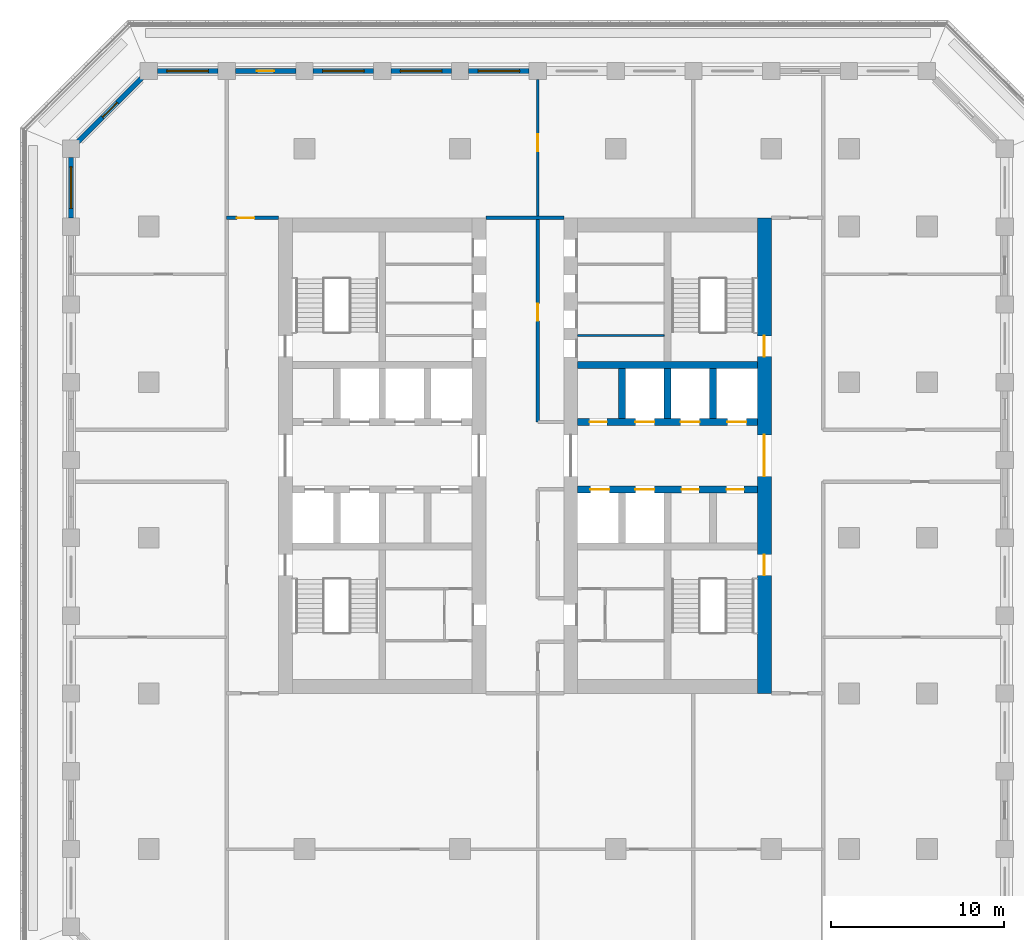
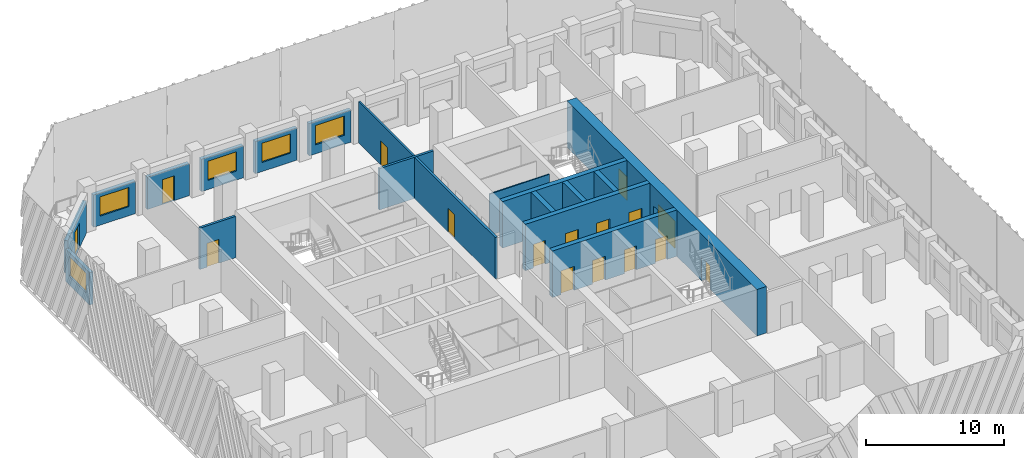
# One storey, part 6 of 16: 19 walls, 16 doors, 5 windows, 21 openings.
"""IFC4 building model written with IfcOpenShell, lengths in metres."""

from ifc_helpers import new_model, si_unit, direction, frame, frame_2d, origin, place, context, subcontext, project, spatial, rectangle, extrude, material, layer, layer_set, type_object, element, fill, save


model = new_model("IFC4")

# Units and contexts
model_context = context("Model", 3, precision=1e-05, world=origin(), true_north=direction((0.0, 1.0)))
body_context = subcontext(model_context, "Body", "Model", "MODEL_VIEW")
ifc_project = project(units=[si_unit("LENGTHUNIT", "METRE"), si_unit("AREAUNIT", "SQUARE_METRE"), si_unit("VOLUMEUNIT", "CUBIC_METRE"), si_unit("PLANEANGLEUNIT", "RADIAN"), si_unit("MASSUNIT", "GRAM", prefix="KILO")], contexts=[model_context])

# Site, building, storey
site_placement = place(None, origin())
site = spatial("IfcSite", under=ifc_project, at=site_placement, CompositionType="ELEMENT")
building_placement = place(site_placement, origin())
building = spatial("IfcBuilding", under=site, at=building_placement, Name="Corbel Stack Research Tower", CompositionType="ELEMENT")
storey_placement = place(building_placement, frame((0.0, 0.0, 199.699951171875)))
storey = spatial("IfcBuildingStorey", under=building, at=storey_placement, Name="L45", CompositionType="ELEMENT", Elevation=199.699951171875)

# Wall, openings, doors
ifc_material_1 = material(Name="Concrete C60/75", Category="concrete")
ifc_layer_1 = layer(ifc_material_1, 0.39990234375)
ifc_layer_set_1 = layer_set([ifc_layer_1], Name="Concrete C60/75")
wall_type_1 = type_object("IfcWallType", Name="CW-400-60", PredefinedType="SHEAR", material=ifc_layer_set_1)
wall_1_placement = place(storey_placement, frame((6.800048828125, 2.800048828125, 0.0), z_axis=(0.0, 0.0, 1.0), x_axis=(1.0, 0.0, 0.0)))
wall_1 = element("IfcWall", 1, at=wall_1_placement, inside=storey, type_object=wall_type_1, Name="East core wall, lobby south L45", PredefinedType="SHEAR", context=body_context, shape_type="SweptSolid", body=[
    extrude(rectangle(XDim=10.39990234375, YDim=0.39990234375, at=frame_2d((5.199951171875, 0.0))), origin(), (0.0, 0.0, 1.0), 4.10009765625),
])
opening_1_placement = place(wall_1_placement, frame((0.737548828125, 0.0, 0.0)))
opening_1 = element("IfcOpeningElement", 2, at=opening_1_placement, cuts=wall_1, Name="Opening LD-FS2", PredefinedType="OPENING", context=body_context, shape_type="SweptSolid", body=[
    extrude(rectangle(XDim=1.10009765625, YDim=2.10009765625, at=frame_2d((0.550048828125, 1.050048828125))), frame((0.0, 0.2099609375, 0.0), z_axis=(0.0, -1.0, 0.0), x_axis=(1.0, 0.0, 0.0)), (0.0, 0.0, 1.0), 0.419921875),
])
opening_2_placement = place(wall_1_placement, frame((3.33740234375, 0.0, 0.0)))
opening_2 = element("IfcOpeningElement", 3, at=opening_2_placement, cuts=wall_1, Name="Opening LD-GL2", PredefinedType="OPENING", context=body_context, shape_type="SweptSolid", body=[
    extrude(rectangle(XDim=1.10009765625, YDim=2.10009765625, at=frame_2d((0.550048828125, 1.050048828125))), frame((0.0, 0.2099609375, 0.0), z_axis=(0.0, -1.0, 0.0), x_axis=(1.0, 0.0, 0.0)), (0.0, 0.0, 1.0), 0.419921875),
])
opening_3_placement = place(wall_1_placement, frame((6.012451171875, 0.0, 0.0)))
opening_3 = element("IfcOpeningElement", 4, at=opening_3_placement, cuts=wall_1, Name="Opening CR-E36-S3", PredefinedType="OPENING", context=body_context, shape_type="SweptSolid", body=[
    extrude(rectangle(XDim=1.0, YDim=2.10009765625, at=frame_2d((0.5, 1.050048828125))), frame((0.0, 0.2099609375, 0.0), z_axis=(0.0, -1.0, 0.0), x_axis=(1.0, 0.0, 0.0)), (0.0, 0.0, 1.0), 0.419921875),
])
opening_4_placement = place(wall_1_placement, frame((8.612548828125, 0.0, 0.0)))
opening_4 = element("IfcOpeningElement", 5, at=opening_4_placement, cuts=wall_1, Name="Opening CR-E36-S4", PredefinedType="OPENING", context=body_context, shape_type="SweptSolid", body=[
    extrude(rectangle(XDim=1.0, YDim=2.10009765625, at=frame_2d((0.5, 1.050048828125))), frame((0.0, 0.2099609375, 0.0), z_axis=(0.0, -1.0, 0.0), x_axis=(1.0, 0.0, 0.0)), (0.0, 0.0, 1.0), 0.419921875),
])
ifc_material_2 = material(Name="Stainless steel landing door", Category="steel")
door_type_1 = type_object("IfcDoorType", Name="Lift landing door 1100 x 2100", OperationType="DOUBLE_DOOR_SLIDING", PredefinedType="DOOR", material=ifc_material_2)
door_1_placement = place(opening_1_placement, origin())
door_1 = element("IfcDoor", 6, at=door_1_placement, inside=storey, type_object=door_type_1, Name="Landing door FS2", OperationType="DOUBLE_DOOR_SLIDING", OverallHeight=2.10009765625, OverallWidth=1.10009765625, PredefinedType="DOOR", context=body_context, shape_type="SweptSolid", body=[
    extrude(rectangle(XDim=1.10009765625, YDim=2.10009765625, at=frame_2d((0.550048828125, 1.050048828125))), frame((0.0, 0.02490234375, 0.0), z_axis=(0.0, -1.0, 0.0), x_axis=(1.0, 0.0, 0.0)), (0.0, 0.0, 1.0), 0.050048828125),
])
fill(opening_1, door_1)
door_2_placement = place(opening_2_placement, origin())
door_2 = element("IfcDoor", 7, at=door_2_placement, inside=storey, type_object=door_type_1, Name="Landing door GL2", OperationType="DOUBLE_DOOR_SLIDING", OverallHeight=2.10009765625, OverallWidth=1.10009765625, PredefinedType="DOOR", context=body_context, shape_type="SweptSolid", body=[
    extrude(rectangle(XDim=1.10009765625, YDim=2.10009765625, at=frame_2d((0.550048828125, 1.050048828125))), frame((0.0, 0.02490234375, 0.0), z_axis=(0.0, -1.0, 0.0), x_axis=(1.0, 0.0, 0.0)), (0.0, 0.0, 1.0), 0.050048828125),
])
fill(opening_2, door_2)
ifc_material_3 = material(Name="Painted steel door", Category="steel")
door_type_2 = type_object("IfcDoorType", Name="Service door 1000 x 2100 FD60 left hand", OperationType="SINGLE_SWING_LEFT", PredefinedType="DOOR", material=ifc_material_3)
door_3_placement = place(opening_3_placement, origin())
door_3 = element("IfcDoor", 8, at=door_3_placement, inside=storey, type_object=door_type_2, Name="Laboratory consumables store door E core", OperationType="SINGLE_SWING_LEFT", OverallHeight=2.10009765625, OverallWidth=1.0, PredefinedType="DOOR", context=body_context, shape_type="SweptSolid", body=[
    extrude(rectangle(XDim=1.0, YDim=2.10009765625, at=frame_2d((0.5, 1.050048828125))), frame((0.0, 0.02490234375, 0.0), z_axis=(0.0, -1.0, 0.0), x_axis=(1.0, 0.0, 0.0)), (0.0, 0.0, 1.0), 0.050048828125),
])
fill(opening_3, door_3)
ifc_material_4 = material(Name="Painted steel door", Category="steel")
door_type_3 = type_object("IfcDoorType", Name="Service door 1000 x 2100 FD60 right hand", OperationType="SINGLE_SWING_RIGHT", PredefinedType="DOOR", material=ifc_material_4)
door_4_placement = place(opening_4_placement, origin())
door_4 = element("IfcDoor", 9, at=door_4_placement, inside=storey, type_object=door_type_3, Name="Cleaner's store door E core", OperationType="SINGLE_SWING_RIGHT", OverallHeight=2.10009765625, OverallWidth=1.0, PredefinedType="DOOR", context=body_context, shape_type="SweptSolid", body=[
    extrude(rectangle(XDim=1.0, YDim=2.10009765625, at=frame_2d((0.5, 1.050048828125))), frame((0.0, 0.02490234375, 0.0), z_axis=(0.0, -1.0, 0.0), x_axis=(1.0, 0.0, 0.0)), (0.0, 0.0, 1.0), 0.050048828125),
])
fill(opening_4, door_4)

wall_2_placement = place(storey_placement, frame((6.800048828125, 6.699951171875, 0.0), z_axis=(0.0, 0.0, 1.0), x_axis=(1.0, 0.0, 0.0)))
wall_2 = element("IfcWall", 10, at=wall_2_placement, inside=storey, type_object=wall_type_1, Name="East core wall, lobby north L45", PredefinedType="SHEAR", context=body_context, shape_type="SweptSolid", body=[
    extrude(rectangle(XDim=10.39990234375, YDim=0.39990234375, at=frame_2d((5.199951171875, 0.0))), origin(), (0.0, 0.0, 1.0), 4.10009765625),
])
opening_5_placement = place(wall_2_placement, frame((3.33740234375, 0.0, 0.0)))
opening_5 = element("IfcOpeningElement", 11, at=opening_5_placement, cuts=wall_2, Name="Opening LD-HR4", PredefinedType="OPENING", context=body_context, shape_type="SweptSolid", body=[
    extrude(rectangle(XDim=1.10009765625, YDim=2.10009765625, at=frame_2d((0.550048828125, 1.050048828125))), frame((0.0, 0.2099609375, 0.0), z_axis=(0.0, -1.0, 0.0), x_axis=(1.0, 0.0, 0.0)), (0.0, 0.0, 1.0), 0.419921875),
])
opening_6_placement = place(wall_2_placement, frame((5.96240234375, 0.0, 0.0)))
opening_6 = element("IfcOpeningElement", 12, at=opening_6_placement, cuts=wall_2, Name="Opening LD-HR5", PredefinedType="OPENING", context=body_context, shape_type="SweptSolid", body=[
    extrude(rectangle(XDim=1.10009765625, YDim=2.10009765625, at=frame_2d((0.550048828125, 1.050048828125))), frame((0.0, 0.2099609375, 0.0), z_axis=(0.0, -1.0, 0.0), x_axis=(1.0, 0.0, 0.0)), (0.0, 0.0, 1.0), 0.419921875),
])
opening_7_placement = place(wall_2_placement, frame((8.66259765625, 0.0, 0.0)))
opening_7 = element("IfcOpeningElement", 13, at=opening_7_placement, cuts=wall_2, Name="Opening LD-HR6", PredefinedType="OPENING", context=body_context, shape_type="SweptSolid", body=[
    extrude(rectangle(XDim=1.10009765625, YDim=2.10009765625, at=frame_2d((0.550048828125, 1.050048828125))), frame((0.0, 0.2099609375, 0.0), z_axis=(0.0, -1.0, 0.0), x_axis=(1.0, 0.0, 0.0)), (0.0, 0.0, 1.0), 0.419921875),
])
opening_8_placement = place(wall_2_placement, frame((0.6875, 0.0, 0.0)))
opening_8 = element("IfcOpeningElement", 14, at=opening_8_placement, cuts=wall_2, Name="Opening CR-E36-N1", PredefinedType="OPENING", context=body_context, shape_type="SweptSolid", body=[
    extrude(rectangle(XDim=1.0, YDim=2.10009765625, at=frame_2d((0.5, 1.050048828125))), frame((0.0, 0.2099609375, 0.0), z_axis=(0.0, -1.0, 0.0), x_axis=(1.0, 0.0, 0.0)), (0.0, 0.0, 1.0), 0.419921875),
])
door_5_placement = place(opening_5_placement, origin())
door_5 = element("IfcDoor", 15, at=door_5_placement, inside=storey, type_object=door_type_1, Name="Landing door HR4", OperationType="DOUBLE_DOOR_SLIDING", OverallHeight=2.10009765625, OverallWidth=1.10009765625, PredefinedType="DOOR", context=body_context, shape_type="SweptSolid", body=[
    extrude(rectangle(XDim=1.10009765625, YDim=2.10009765625, at=frame_2d((0.550048828125, 1.050048828125))), frame((0.0, 0.02490234375, 0.0), z_axis=(0.0, -1.0, 0.0), x_axis=(1.0, 0.0, 0.0)), (0.0, 0.0, 1.0), 0.050048828125),
])
fill(opening_5, door_5)
door_6_placement = place(opening_6_placement, origin())
door_6 = element("IfcDoor", 16, at=door_6_placement, inside=storey, type_object=door_type_1, Name="Landing door HR5", OperationType="DOUBLE_DOOR_SLIDING", OverallHeight=2.10009765625, OverallWidth=1.10009765625, PredefinedType="DOOR", context=body_context, shape_type="SweptSolid", body=[
    extrude(rectangle(XDim=1.10009765625, YDim=2.10009765625, at=frame_2d((0.550048828125, 1.050048828125))), frame((0.0, 0.02490234375, 0.0), z_axis=(0.0, -1.0, 0.0), x_axis=(1.0, 0.0, 0.0)), (0.0, 0.0, 1.0), 0.050048828125),
])
fill(opening_6, door_6)
door_7_placement = place(opening_7_placement, origin())
door_7 = element("IfcDoor", 17, at=door_7_placement, inside=storey, type_object=door_type_1, Name="Landing door HR6", OperationType="DOUBLE_DOOR_SLIDING", OverallHeight=2.10009765625, OverallWidth=1.10009765625, PredefinedType="DOOR", context=body_context, shape_type="SweptSolid", body=[
    extrude(rectangle(XDim=1.10009765625, YDim=2.10009765625, at=frame_2d((0.550048828125, 1.050048828125))), frame((0.0, 0.02490234375, 0.0), z_axis=(0.0, -1.0, 0.0), x_axis=(1.0, 0.0, 0.0)), (0.0, 0.0, 1.0), 0.050048828125),
])
fill(opening_7, door_7)
door_8_placement = place(opening_8_placement, origin())
door_8 = element("IfcDoor", 18, at=door_8_placement, inside=storey, type_object=door_type_2, Name="Vending bay door E core", OperationType="SINGLE_SWING_LEFT", OverallHeight=2.10009765625, OverallWidth=1.0, PredefinedType="DOOR", context=body_context, shape_type="SweptSolid", body=[
    extrude(rectangle(XDim=1.0, YDim=2.10009765625, at=frame_2d((0.5, 1.050048828125))), frame((0.0, 0.02490234375, 0.0), z_axis=(0.0, -1.0, 0.0), x_axis=(1.0, 0.0, 0.0)), (0.0, 0.0, 1.0), 0.050048828125),
])
fill(opening_8, door_8)

# Walls
wall_3_placement = place(storey_placement, frame((6.800048828125, 10.0, 0.0), z_axis=(0.0, 0.0, 1.0), x_axis=(1.0, 0.0, 0.0)))
element("IfcWall", 19, at=wall_3_placement, inside=storey, type_object=wall_type_1, Name="East core wall, north row back L45", PredefinedType="SHEAR", context=body_context, shape_type="SweptSolid", body=[
    extrude(rectangle(XDim=10.39990234375, YDim=0.39990234375, at=frame_2d((5.199951171875, 0.0))), origin(), (0.0, 0.0, 1.0), 4.10009765625),
])
for number, where, z_axis, x_axis, name in (
    (20, (9.375, 6.89990234375, 0.0), (0.0, 0.0, 1.0), (0.0, 1.0, 0.0), "East core wall, north shaft 1 L45"),
    (21, (12.0, 6.89990234375, 0.0), (0.0, 0.0, 1.0), (0.0, 1.0, 0.0), "East core wall, north shaft 2 L45"),
    (22, (14.625, 6.89990234375, 0.0), (0.0, 0.0, 1.0), (0.0, 1.0, 0.0), "East core wall, north shaft 3 L45"),
):
    element("IfcWall", number, at=place(storey_placement, frame(where, z_axis=z_axis, x_axis=x_axis)), inside=storey, type_object=wall_type_1, Name=name, PredefinedType="SHEAR", context=body_context, shape_type="SweptSolid", body=[
        extrude(rectangle(XDim=2.900146484375, YDim=0.39990234375, at=frame_2d((1.4501953125, 0.0))), origin(), (0.0, 0.0, 1.0), 4.10009765625),
    ])

# Wall, openings, doors
ifc_material_5 = material(Name="Concrete C60/75", Category="concrete")
ifc_layer_2 = layer(ifc_material_5, 0.800048828125)
ifc_layer_set_2 = layer_set([ifc_layer_2], Name="Concrete C60/75")
wall_type_2 = type_object("IfcWallType", Name="CW-800-60", PredefinedType="SHEAR", material=ifc_layer_set_2)
wall_4_placement = place(storey_placement, frame((17.60009765625, -9.0, 0.0), z_axis=(0.0, 0.0, 1.0), x_axis=(0.0, 1.0, 0.0)))
wall_4 = element("IfcWall", 23, at=wall_4_placement, inside=storey, type_object=wall_type_2, Name="East core wall, east face L45", PredefinedType="SHEAR", context=body_context, shape_type="SweptSolid", body=[
    extrude(rectangle(XDim=27.5, YDim=0.800048828125, at=frame_2d((13.75, 0.0))), origin(), (0.0, 0.0, 1.0), 4.10009765625),
])
opening_9_placement = place(wall_4_placement, frame((12.550048828125, 0.0, 0.0)))
opening_9 = element("IfcOpeningElement", 24, at=opening_9_placement, cuts=wall_4, Name="Opening CD-E-E", PredefinedType="OPENING", context=body_context, shape_type="SweptSolid", body=[
    extrude(rectangle(XDim=2.39990234375, YDim=2.39990234375, at=frame_2d((1.199951171875, 1.199951171875))), frame((0.0, 0.409912109375, 0.0), z_axis=(0.0, -1.0, 0.0), x_axis=(1.0, 0.0, 0.0)), (0.0, 0.0, 1.0), 0.820068359375),
])
opening_10_placement = place(wall_4_placement, frame((6.824951171875, 0.0, 0.0)))
opening_10 = element("IfcOpeningElement", 25, at=opening_10_placement, cuts=wall_4, Name="Opening SD-ST-E1", PredefinedType="OPENING", context=body_context, shape_type="SweptSolid", body=[
    extrude(rectangle(XDim=1.199951171875, YDim=2.10009765625, at=frame_2d((0.60009765625, 1.050048828125))), frame((0.0, 0.409912109375, 0.0), z_axis=(0.0, -1.0, 0.0), x_axis=(1.0, 0.0, 0.0)), (0.0, 0.0, 1.0), 0.820068359375),
])
opening_11_placement = place(wall_4_placement, frame((19.47509765625, 0.0, 0.0)))
opening_11 = element("IfcOpeningElement", 26, at=opening_11_placement, cuts=wall_4, Name="Opening SD-ST-E2", PredefinedType="OPENING", context=body_context, shape_type="SweptSolid", body=[
    extrude(rectangle(XDim=1.199951171875, YDim=2.10009765625, at=frame_2d((0.60009765625, 1.050048828125))), frame((0.0, 0.409912109375, 0.0), z_axis=(0.0, -1.0, 0.0), x_axis=(1.0, 0.0, 0.0)), (0.0, 0.0, 1.0), 0.820068359375),
])
ifc_material_6 = material(Name="Painted steel fire door", Category="steel")
door_type_4 = type_object("IfcDoorType", Name="Lobby door pair 2400 x 2400 FD30S", OperationType="DOUBLE_DOOR_DOUBLE_SWING", PredefinedType="DOOR", material=ifc_material_6)
door_9_placement = place(opening_9_placement, origin())
door_9 = element("IfcDoor", 27, at=door_9_placement, inside=storey, type_object=door_type_4, Name="Lift lobby door E core E", OperationType="DOUBLE_DOOR_DOUBLE_SWING", OverallHeight=2.39990234375, OverallWidth=2.39990234375, PredefinedType="DOOR", context=body_context, shape_type="SweptSolid", body=[
    extrude(rectangle(XDim=2.39990234375, YDim=2.39990234375, at=frame_2d((1.199951171875, 1.199951171875))), frame((0.0, 0.02490234375, 0.0), z_axis=(0.0, -1.0, 0.0), x_axis=(1.0, 0.0, 0.0)), (0.0, 0.0, 1.0), 0.050048828125),
])
fill(opening_9, door_9)
ifc_material_7 = material(Name="Painted steel fire door", Category="steel")
door_type_5 = type_object("IfcDoorType", Name="Stair door 1200 x 2100 FD90 right hand", OperationType="SINGLE_SWING_RIGHT", PredefinedType="DOOR", material=ifc_material_7)
door_10_placement = place(opening_10_placement, frame((1.199951171875, 0.0, 0.0), z_axis=(0.0, 0.0, 1.0), x_axis=(-1.0, 0.0, 0.0)))
door_10 = element("IfcDoor", 28, at=door_10_placement, inside=storey, type_object=door_type_5, Name="Stair door ST-E1", OperationType="SINGLE_SWING_LEFT", OverallHeight=2.10009765625, OverallWidth=1.199951171875, PredefinedType="DOOR", context=body_context, shape_type="SweptSolid", body=[
    extrude(rectangle(XDim=1.199951171875, YDim=2.10009765625, at=frame_2d((0.60009765625, 1.050048828125))), frame((0.0, 0.02490234375, 0.0), z_axis=(0.0, -1.0, 0.0), x_axis=(1.0, 0.0, 0.0)), (0.0, 0.0, 1.0), 0.050048828125),
])
fill(opening_10, door_10)
door_11_placement = place(opening_11_placement, frame((1.199951171875, 0.0, 0.0), z_axis=(0.0, 0.0, 1.0), x_axis=(-1.0, 0.0, 0.0)))
door_11 = element("IfcDoor", 29, at=door_11_placement, inside=storey, type_object=door_type_5, Name="Stair door ST-E2", OperationType="SINGLE_SWING_LEFT", OverallHeight=2.10009765625, OverallWidth=1.199951171875, PredefinedType="DOOR", context=body_context, shape_type="SweptSolid", body=[
    extrude(rectangle(XDim=1.199951171875, YDim=2.10009765625, at=frame_2d((0.60009765625, 1.050048828125))), frame((0.0, 0.02490234375, 0.0), z_axis=(0.0, -1.0, 0.0), x_axis=(1.0, 0.0, 0.0)), (0.0, 0.0, 1.0), 0.050048828125),
])
fill(opening_11, door_11)

# Wall
ifc_material_8 = material(Name="Gypsum board")
ifc_layer_3 = layer(ifc_material_8, 0.10009765625)
ifc_layer_set_3 = layer_set([ifc_layer_3], Name="Gypsum board")
wall_type_3 = type_object("IfcWallType", Name="Core partition 100", PredefinedType="PARTITIONING", material=ifc_layer_set_3)
wall_5_placement = place(storey_placement, frame((6.800048828125, 11.699951171875, 0.0), z_axis=(0.0, 0.0, 1.0), x_axis=(1.0, 0.0, 0.0)))
element("IfcWall", 30, at=wall_5_placement, inside=storey, type_object=wall_type_3, Name="Core partition E", PredefinedType="PARTITIONING", context=body_context, shape_type="SweptSolid", body=[
    extrude(rectangle(XDim=5.0, YDim=0.10009765625, at=frame_2d((2.5, 0.0))), origin(), (0.0, 0.0, 1.0), 3.650146484375),
])

# Wall, opening, door
ifc_material_9 = material(Name="Fire-rated gypsum board partition on steel studs", Category="steel")
ifc_layer_4 = layer(ifc_material_9, 0.14990234375)
ifc_layer_set_4 = layer_set([ifc_layer_4], Name="Fire-rated gypsum board partition on steel studs")
wall_type_4 = type_object("IfcWallType", Name="Fire-rated partition 150 EI 60", PredefinedType="PARTITIONING", material=ifc_layer_set_4)
wall_6_placement = place(storey_placement, frame((4.5, 26.5, 0.0), z_axis=(0.0, 0.0, 1.0), x_axis=(0.0, -1.0, 0.0)))
wall_6 = element("IfcWall", 31, at=wall_6_placement, inside=storey, type_object=wall_type_4, Name="Partition L45-004", PredefinedType="PARTITIONING", context=body_context, shape_type="SweptSolid", body=[
    extrude(rectangle(XDim=8.0, YDim=0.14990234375, at=frame_2d((4.0, 0.0))), origin(), (0.0, 0.0, 1.0), 3.650146484375),
])
opening_12_placement = place(wall_6_placement, frame((3.14990234375, 0.0, 0.0)))
opening_12 = element("IfcOpeningElement", 32, at=opening_12_placement, cuts=wall_6, Name="Opening B6V0-015", PredefinedType="OPENING", context=body_context, shape_type="SweptSolid", body=[
    extrude(rectangle(XDim=1.0, YDim=2.10009765625, at=frame_2d((0.5, 1.050048828125))), frame((0.0, 0.0849609375, 0.0), z_axis=(0.0, -1.0, 0.0), x_axis=(1.0, 0.0, 0.0)), (0.0, 0.0, 1.0), 0.169921875),
])
ifc_material_10 = material(Name="Painted steel fire door", Category="steel")
door_type_6 = type_object("IfcDoorType", Name="Fire door FD30S 1000 x 2100", OperationType="NOTDEFINED", PredefinedType="DOOR", material=ifc_material_10)
door_12_placement = place(opening_12_placement, origin())
door_12 = element("IfcDoor", 33, at=door_12_placement, inside=storey, type_object=door_type_6, Name="Door B6V0-015", OperationType="SINGLE_SWING_LEFT", OverallHeight=2.10009765625, OverallWidth=1.0, PredefinedType="DOOR", context=body_context, shape_type="SweptSolid", body=[
    extrude(rectangle(XDim=1.0, YDim=2.10009765625, at=frame_2d((0.5, 1.050048828125))), frame((0.0, 0.02490234375, 0.0), z_axis=(0.0, -1.0, 0.0), x_axis=(1.0, 0.0, 0.0)), (0.0, 0.0, 1.0), 0.050048828125),
])
fill(opening_12, door_12)

ifc_material_11 = material(Name="Fire-rated gypsum board partition on steel studs", Category="steel")
ifc_layer_5 = layer(ifc_material_11, 0.199951171875)
ifc_layer_set_5 = layer_set([ifc_layer_5], Name="Fire-rated gypsum board partition on steel studs")
wall_type_5 = type_object("IfcWallType", Name="Fire-rated partition 200 EI 60", PredefinedType="PARTITIONING", material=ifc_layer_set_5)
wall_7_placement = place(storey_placement, frame((4.5, 18.5, 0.0), z_axis=(0.0, 0.0, 1.0), x_axis=(0.0, -1.0, 0.0)))
wall_7 = element("IfcWall", 34, at=wall_7_placement, inside=storey, type_object=wall_type_5, Name="Partition L45-007", PredefinedType="PARTITIONING", context=body_context, shape_type="SweptSolid", body=[
    extrude(rectangle(XDim=11.800048828125, YDim=0.199951171875, at=frame_2d((5.89990234375, 0.0))), origin(), (0.0, 0.0, 1.0), 3.650146484375),
])
opening_13_placement = place(wall_7_placement, frame((4.949951171875, 0.0, 0.0)))
opening_13 = element("IfcOpeningElement", 35, at=opening_13_placement, cuts=wall_7, Name="Opening B6V0-014", PredefinedType="OPENING", context=body_context, shape_type="SweptSolid", body=[
    extrude(rectangle(XDim=1.0, YDim=2.10009765625, at=frame_2d((0.5, 1.050048828125))), frame((0.0, 0.10986328125, 0.0), z_axis=(0.0, -1.0, 0.0), x_axis=(1.0, 0.0, 0.0)), (0.0, 0.0, 1.0), 0.219970703125),
])
door_13_placement = place(opening_13_placement, origin())
door_13 = element("IfcDoor", 36, at=door_13_placement, inside=storey, type_object=door_type_6, Name="Door B6V0-014", OperationType="SINGLE_SWING_LEFT", OverallHeight=2.10009765625, OverallWidth=1.0, PredefinedType="DOOR", context=body_context, shape_type="SweptSolid", body=[
    extrude(rectangle(XDim=1.0, YDim=2.10009765625, at=frame_2d((0.5, 1.050048828125))), frame((0.0, 0.02490234375, 0.0), z_axis=(0.0, -1.0, 0.0), x_axis=(1.0, 0.0, 0.0)), (0.0, 0.0, 1.0), 0.050048828125),
])
fill(opening_13, door_13)

wall_8_placement = place(storey_placement, frame((-13.5, 18.5, 0.0), z_axis=(0.0, 0.0, 1.0), x_axis=(1.0, 0.0, 0.0)))
wall_8 = element("IfcWall", 37, at=wall_8_placement, inside=storey, type_object=wall_type_5, Name="Partition L45-032", PredefinedType="PARTITIONING", context=body_context, shape_type="SweptSolid", body=[
    extrude(rectangle(XDim=3.0, YDim=0.199951171875, at=frame_2d((1.5, 0.0))), origin(), (0.0, 0.0, 1.0), 3.650146484375),
])
opening_14_placement = place(wall_8_placement, frame((0.60009765625, 0.0, 0.0)))
opening_14 = element("IfcOpeningElement", 38, at=opening_14_placement, cuts=wall_8, Name="Opening B6V0-019", PredefinedType="OPENING", context=body_context, shape_type="SweptSolid", body=[
    extrude(rectangle(XDim=1.0, YDim=2.10009765625, at=frame_2d((0.5, 1.050048828125))), frame((0.0, 0.10986328125, 0.0), z_axis=(0.0, -1.0, 0.0), x_axis=(1.0, 0.0, 0.0)), (0.0, 0.0, 1.0), 0.219970703125),
])
door_14_placement = place(opening_14_placement, origin())
door_14 = element("IfcDoor", 39, at=door_14_placement, inside=storey, type_object=door_type_6, Name="Door B6V0-019", OperationType="SINGLE_SWING_LEFT", OverallHeight=2.10009765625, OverallWidth=1.0, PredefinedType="DOOR", context=body_context, shape_type="SweptSolid", body=[
    extrude(rectangle(XDim=1.0, YDim=2.10009765625, at=frame_2d((0.5, 1.050048828125))), frame((0.0, 0.02490234375, 0.0), z_axis=(0.0, -1.0, 0.0), x_axis=(1.0, 0.0, 0.0)), (0.0, 0.0, 1.0), 0.050048828125),
])
fill(opening_14, door_14)

# Wall
wall_9_placement = place(storey_placement, frame((1.5, 18.5, 0.0), z_axis=(0.0, 0.0, 1.0), x_axis=(1.0, 0.0, 0.0)))
element("IfcWall", 40, at=wall_9_placement, inside=storey, type_object=wall_type_5, Name="Partition L45-033", PredefinedType="PARTITIONING", context=body_context, shape_type="SweptSolid", body=[
    extrude(rectangle(XDim=4.5, YDim=0.199951171875, at=frame_2d((2.25, 0.0))), origin(), (0.0, 0.0, 1.0), 3.650146484375),
])

# Wall, opening, window
ifc_material_12 = material(Name="Concrete C45/55", Category="concrete")
ifc_layer_6 = layer(ifc_material_12, 0.300048828125)
ifc_layer_set_6 = layer_set([ifc_layer_6], Name="Concrete C45/55")
wall_type_6 = type_object("IfcWallType", Name="Terracotta-faced concrete wall 300", PredefinedType="SOLIDWALL", material=ifc_layer_set_6)
wall_10_placement = place(storey_placement, frame((0.5, 27.0, 0.0), z_axis=(0.0, 0.0, 1.0), x_axis=(1.0, 0.0, 0.0)))
wall_10 = element("IfcWall", 41, at=wall_10_placement, inside=storey, type_object=wall_type_6, Name="Facade wall L45 N06", PredefinedType="SOLIDWALL", context=body_context, shape_type="SweptSolid", body=[
    extrude(rectangle(XDim=3.5, YDim=0.300048828125, at=frame_2d((1.75, 0.0))), origin(), (0.0, 0.0, 1.0), 2.85009765625),
])
opening_15_placement = place(wall_10_placement, frame((0.550048828125, 0.0, 0.800048828125)))
opening_15 = element("IfcOpeningElement", 42, at=opening_15_placement, cuts=wall_10, Name="Opening W1", PredefinedType="OPENING", context=body_context, shape_type="SweptSolid", body=[
    extrude(rectangle(XDim=2.39990234375, YDim=1.699951171875, at=frame_2d((1.199951171875, 0.85009765625))), frame((0.0, 0.159912109375, 0.0), z_axis=(0.0, -1.0, 0.0), x_axis=(1.0, 0.0, 0.0)), (0.0, 0.0, 1.0), 0.320068359375),
])
ifc_material_13 = material(Name="Aluminium frame, clear double glazing", Category="aluminium")
window_type = type_object("IfcWindowType", Name="Window W1 2400 x 1700", PartitioningType="SINGLE_PANEL", PredefinedType="WINDOW", material=ifc_material_13)
window_1_placement = place(opening_15_placement, origin())
window_1 = element("IfcWindow", 43, at=window_1_placement, inside=storey, type_object=window_type, Name="Window W1 L45 N06", OverallHeight=1.699951171875, OverallWidth=2.39990234375, PartitioningType="SINGLE_PANEL", PredefinedType="WINDOW", context=body_context, shape_type="SweptSolid", body=[
    extrude(rectangle(XDim=2.39990234375, YDim=1.699951171875, at=frame_2d((1.199951171875, 0.85009765625))), frame((0.0, 0.030029296875, 0.0), z_axis=(0.0, -1.0, 0.0), x_axis=(1.0, 0.0, 0.0)), (0.0, 0.0, 1.0), 0.06005859375),
])
fill(opening_15, window_1)

wall_11_placement = place(storey_placement, frame((-4.0, 27.0, 0.0), z_axis=(0.0, 0.0, 1.0), x_axis=(1.0, 0.0, 0.0)))
wall_11 = element("IfcWall", 44, at=wall_11_placement, inside=storey, type_object=wall_type_6, Name="Facade wall L45 N07", PredefinedType="SOLIDWALL", context=body_context, shape_type="SweptSolid", body=[
    extrude(rectangle(XDim=3.5, YDim=0.300048828125, at=frame_2d((1.75, 0.0))), origin(), (0.0, 0.0, 1.0), 2.85009765625),
])
opening_16_placement = place(wall_11_placement, frame((0.550048828125, 0.0, 0.800048828125)))
opening_16 = element("IfcOpeningElement", 45, at=opening_16_placement, cuts=wall_11, Name="Opening W1", PredefinedType="OPENING", context=body_context, shape_type="SweptSolid", body=[
    extrude(rectangle(XDim=2.39990234375, YDim=1.699951171875, at=frame_2d((1.199951171875, 0.85009765625))), frame((0.0, 0.159912109375, 0.0), z_axis=(0.0, -1.0, 0.0), x_axis=(1.0, 0.0, 0.0)), (0.0, 0.0, 1.0), 0.320068359375),
])
window_2_placement = place(opening_16_placement, origin())
window_2 = element("IfcWindow", 46, at=window_2_placement, inside=storey, type_object=window_type, Name="Window W1 L45 N07", OverallHeight=1.699951171875, OverallWidth=2.39990234375, PartitioningType="SINGLE_PANEL", PredefinedType="WINDOW", context=body_context, shape_type="SweptSolid", body=[
    extrude(rectangle(XDim=2.39990234375, YDim=1.699951171875, at=frame_2d((1.199951171875, 0.85009765625))), frame((0.0, 0.030029296875, 0.0), z_axis=(0.0, -1.0, 0.0), x_axis=(1.0, 0.0, 0.0)), (0.0, 0.0, 1.0), 0.06005859375),
])
fill(opening_16, window_2)

wall_12_placement = place(storey_placement, frame((-8.5, 27.0, 0.0), z_axis=(0.0, 0.0, 1.0), x_axis=(1.0, 0.0, 0.0)))
wall_12 = element("IfcWall", 47, at=wall_12_placement, inside=storey, type_object=wall_type_6, Name="Facade wall L45 N08", PredefinedType="SOLIDWALL", context=body_context, shape_type="SweptSolid", body=[
    extrude(rectangle(XDim=3.5, YDim=0.300048828125, at=frame_2d((1.75, 0.0))), origin(), (0.0, 0.0, 1.0), 2.85009765625),
])
opening_17_placement = place(wall_12_placement, frame((0.550048828125, 0.0, 0.800048828125)))
opening_17 = element("IfcOpeningElement", 48, at=opening_17_placement, cuts=wall_12, Name="Opening W1", PredefinedType="OPENING", context=body_context, shape_type="SweptSolid", body=[
    extrude(rectangle(XDim=2.39990234375, YDim=1.699951171875, at=frame_2d((1.199951171875, 0.85009765625))), frame((0.0, 0.159912109375, 0.0), z_axis=(0.0, -1.0, 0.0), x_axis=(1.0, 0.0, 0.0)), (0.0, 0.0, 1.0), 0.320068359375),
])
window_3_placement = place(opening_17_placement, origin())
window_3 = element("IfcWindow", 49, at=window_3_placement, inside=storey, type_object=window_type, Name="Window W1 L45 N08", OverallHeight=1.699951171875, OverallWidth=2.39990234375, PartitioningType="SINGLE_PANEL", PredefinedType="WINDOW", context=body_context, shape_type="SweptSolid", body=[
    extrude(rectangle(XDim=2.39990234375, YDim=1.699951171875, at=frame_2d((1.199951171875, 0.85009765625))), frame((0.0, 0.030029296875, 0.0), z_axis=(0.0, -1.0, 0.0), x_axis=(1.0, 0.0, 0.0)), (0.0, 0.0, 1.0), 0.06005859375),
])
fill(opening_17, window_3)

# Wall, opening, door
wall_13_placement = place(storey_placement, frame((-13.0, 27.0, 0.0), z_axis=(0.0, 0.0, 1.0), x_axis=(1.0, 0.0, 0.0)))
wall_13 = element("IfcWall", 50, at=wall_13_placement, inside=storey, type_object=wall_type_6, Name="Facade wall L45 N09", PredefinedType="SOLIDWALL", context=body_context, shape_type="SweptSolid", body=[
    extrude(rectangle(XDim=3.5, YDim=0.300048828125, at=frame_2d((1.75, 0.0))), origin(), (0.0, 0.0, 1.0), 2.85009765625),
])
opening_18_placement = place(wall_13_placement, frame((1.25, 0.0, 0.0)))
opening_18 = element("IfcOpeningElement", 51, at=opening_18_placement, cuts=wall_13, Name="Opening L45-B08", PredefinedType="OPENING", context=body_context, shape_type="SweptSolid", body=[
    extrude(rectangle(XDim=1.0, YDim=2.199951171875, at=frame_2d((0.5, 1.10009765625))), frame((0.0, 0.159912109375, 0.0), z_axis=(0.0, -1.0, 0.0), x_axis=(1.0, 0.0, 0.0)), (0.0, 0.0, 1.0), 0.320068359375),
])
ifc_material_14 = material(Name="Aluminium frame, clear double glazing", Category="aluminium")
door_type_7 = type_object("IfcDoorType", Name="Balcony door BD1 1000 x 2200", OperationType="NOTDEFINED", PredefinedType="DOOR", material=ifc_material_14)
door_15_placement = place(opening_18_placement, origin())
door_15 = element("IfcDoor", 52, at=door_15_placement, inside=storey, type_object=door_type_7, Name="Balcony door L45-B08", OperationType="SINGLE_SWING_RIGHT", OverallHeight=2.199951171875, OverallWidth=1.0, PredefinedType="DOOR", context=body_context, shape_type="SweptSolid", body=[
    extrude(rectangle(XDim=1.0, YDim=2.199951171875, at=frame_2d((0.5, 1.10009765625))), frame((0.0, 0.02490234375, 0.0), z_axis=(0.0, -1.0, 0.0), x_axis=(1.0, 0.0, 0.0)), (0.0, 0.0, 1.0), 0.050048828125),
])
fill(opening_18, door_15)

# Wall, opening, window
wall_14_placement = place(storey_placement, frame((-17.5, 27.0, 0.0), z_axis=(0.0, 0.0, 1.0), x_axis=(1.0, 0.0, 0.0)))
wall_14 = element("IfcWall", 53, at=wall_14_placement, inside=storey, type_object=wall_type_6, Name="Facade wall L45 N10", PredefinedType="SOLIDWALL", context=body_context, shape_type="SweptSolid", body=[
    extrude(rectangle(XDim=3.5, YDim=0.300048828125, at=frame_2d((1.75, 0.0))), origin(), (0.0, 0.0, 1.0), 2.85009765625),
])
opening_19_placement = place(wall_14_placement, frame((0.550048828125, 0.0, 0.800048828125)))
opening_19 = element("IfcOpeningElement", 54, at=opening_19_placement, cuts=wall_14, Name="Opening W1", PredefinedType="OPENING", context=body_context, shape_type="SweptSolid", body=[
    extrude(rectangle(XDim=2.39990234375, YDim=1.699951171875, at=frame_2d((1.199951171875, 0.85009765625))), frame((0.0, 0.159912109375, 0.0), z_axis=(0.0, -1.0, 0.0), x_axis=(1.0, 0.0, 0.0)), (0.0, 0.0, 1.0), 0.320068359375),
])
window_4_placement = place(opening_19_placement, origin())
window_4 = element("IfcWindow", 55, at=window_4_placement, inside=storey, type_object=window_type, Name="Window W1 L45 N10", OverallHeight=1.699951171875, OverallWidth=2.39990234375, PartitioningType="SINGLE_PANEL", PredefinedType="WINDOW", context=body_context, shape_type="SweptSolid", body=[
    extrude(rectangle(XDim=2.39990234375, YDim=1.699951171875, at=frame_2d((1.199951171875, 0.85009765625))), frame((0.0, 0.030029296875, 0.0), z_axis=(0.0, -1.0, 0.0), x_axis=(1.0, 0.0, 0.0)), (0.0, 0.0, 1.0), 0.06005859375),
])
fill(opening_19, window_4)

# Wall, opening, door
wall_15_placement = place(storey_placement, frame((-22.106201171875, 22.893798828125, 0.0), z_axis=(0.0, 0.0, 1.0), x_axis=(0.707106781187, 0.707106781187, 0.0)))
wall_15 = element("IfcWall", 56, at=wall_15_placement, inside=storey, type_object=wall_type_6, Name="Facade wall L45 NW01", PredefinedType="SOLIDWALL", context=body_context, shape_type="SweptSolid", body=[
    extrude(rectangle(XDim=5.250244140625, YDim=0.300048828125, at=frame_2d((2.625, 0.0))), origin(), (0.0, 0.0, 1.0), 2.85009765625),
])
opening_20_placement = place(wall_15_placement, frame((2.02490234375, 0.0, 0.0)))
opening_20 = element("IfcOpeningElement", 57, at=opening_20_placement, cuts=wall_15, Name="Opening L45-B09", PredefinedType="OPENING", context=body_context, shape_type="SweptSolid", body=[
    extrude(rectangle(XDim=1.199951171875, YDim=2.199951171875, at=frame_2d((0.60009765625, 1.10009765625))), frame((0.0, 0.159912109375, 0.0), z_axis=(0.0, -1.0, 0.0), x_axis=(1.0, 0.0, 0.0)), (0.0, 0.0, 1.0), 0.320068359375),
])
ifc_material_15 = material(Name="Aluminium frame, clear double glazing", Category="aluminium")
door_type_8 = type_object("IfcDoorType", Name="Balcony door BD2 1200 x 2200", OperationType="NOTDEFINED", PredefinedType="DOOR", material=ifc_material_15)
door_16_placement = place(opening_20_placement, origin())
door_16 = element("IfcDoor", 58, at=door_16_placement, inside=storey, type_object=door_type_8, Name="Balcony door L45-B09", OperationType="SINGLE_SWING_RIGHT", OverallHeight=2.199951171875, OverallWidth=1.199951171875, PredefinedType="DOOR", context=body_context, shape_type="SweptSolid", body=[
    extrude(rectangle(XDim=1.199951171875, YDim=2.199951171875, at=frame_2d((0.60009765625, 1.10009765625))), frame((0.0, 0.02490234375, 0.0), z_axis=(0.0, -1.0, 0.0), x_axis=(1.0, 0.0, 0.0)), (0.0, 0.0, 1.0), 0.050048828125),
])
fill(opening_20, door_16)

# Wall, opening, window
wall_16_placement = place(storey_placement, frame((-22.5, 18.5, 0.0), z_axis=(0.0, 0.0, 1.0), x_axis=(0.0, 1.0, 0.0)))
wall_16 = element("IfcWall", 59, at=wall_16_placement, inside=storey, type_object=wall_type_6, Name="Facade wall L45 W01", PredefinedType="SOLIDWALL", context=body_context, shape_type="SweptSolid", body=[
    extrude(rectangle(XDim=3.5, YDim=0.300048828125, at=frame_2d((1.75, 0.0))), origin(), (0.0, 0.0, 1.0), 2.85009765625),
])
opening_21_placement = place(wall_16_placement, frame((0.550048828125, 0.0, 0.800048828125)))
opening_21 = element("IfcOpeningElement", 60, at=opening_21_placement, cuts=wall_16, Name="Opening W1", PredefinedType="OPENING", context=body_context, shape_type="SweptSolid", body=[
    extrude(rectangle(XDim=2.39990234375, YDim=1.699951171875, at=frame_2d((1.199951171875, 0.85009765625))), frame((0.0, 0.159912109375, 0.0), z_axis=(0.0, -1.0, 0.0), x_axis=(1.0, 0.0, 0.0)), (0.0, 0.0, 1.0), 0.320068359375),
])
window_5_placement = place(opening_21_placement, origin())
window_5 = element("IfcWindow", 61, at=window_5_placement, inside=storey, type_object=window_type, Name="Window W1 L45 W01", OverallHeight=1.699951171875, OverallWidth=2.39990234375, PartitioningType="SINGLE_PANEL", PredefinedType="WINDOW", context=body_context, shape_type="SweptSolid", body=[
    extrude(rectangle(XDim=2.39990234375, YDim=1.699951171875, at=frame_2d((1.199951171875, 0.85009765625))), frame((0.0, 0.030029296875, 0.0), z_axis=(0.0, -1.0, 0.0), x_axis=(1.0, 0.0, 0.0)), (0.0, 0.0, 1.0), 0.06005859375),
])
fill(opening_21, window_5)

save(model, "model.ifc")
